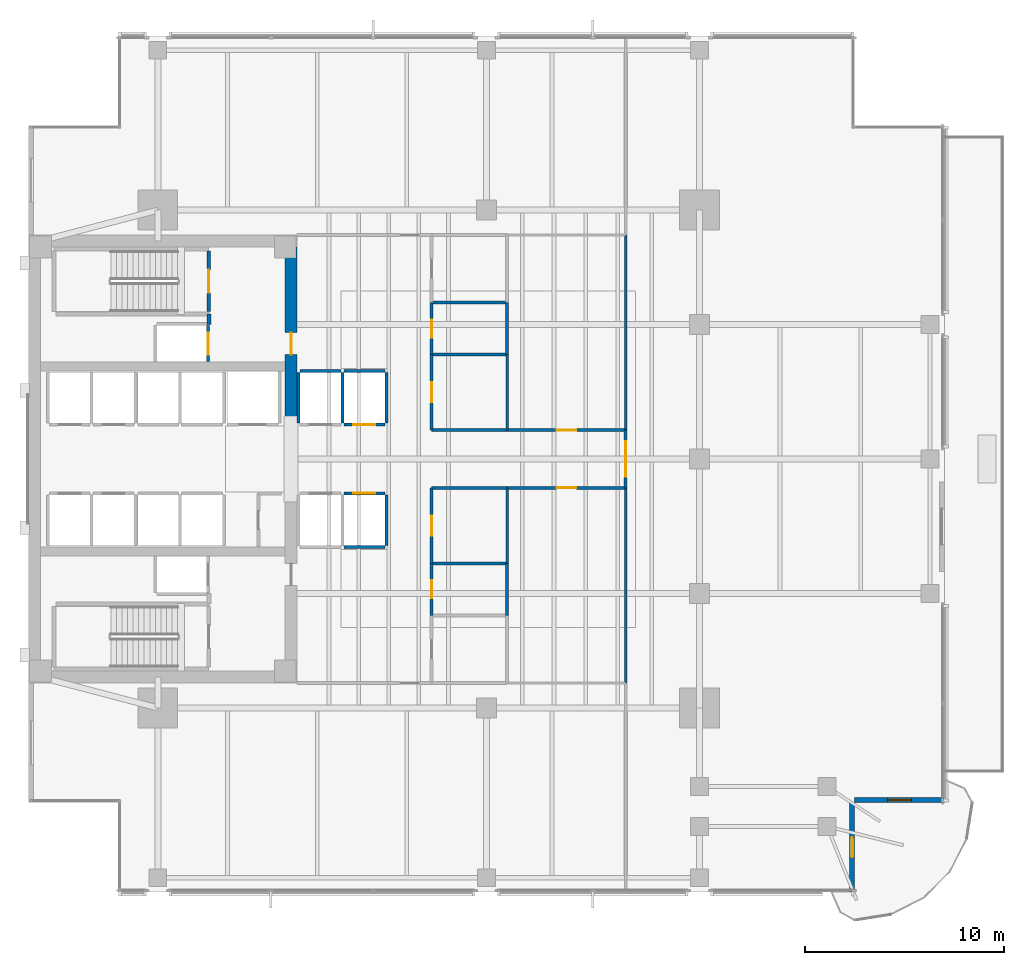
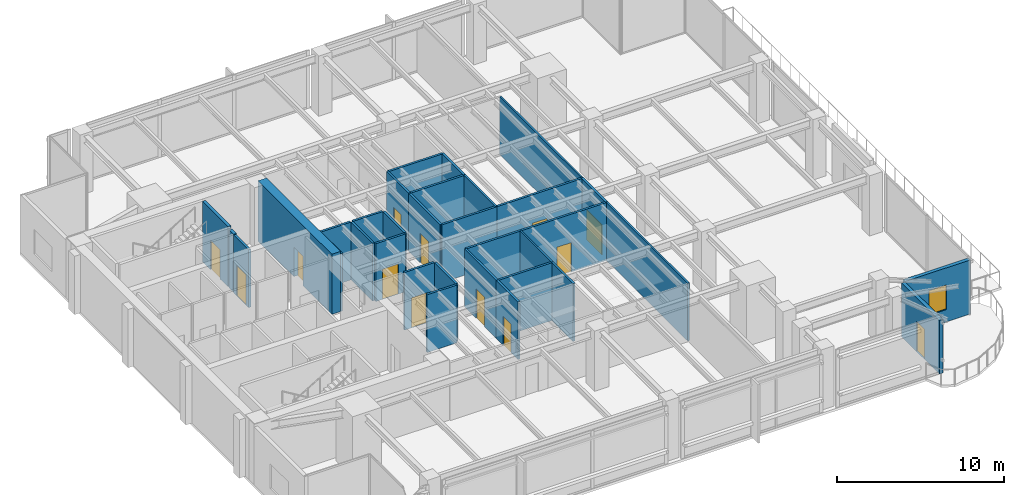
# One storey, part 9 of 14: 33 walls, 13 doors, 1 window, 14 openings.
"""IFC4 building model written with IfcOpenShell, lengths in metres."""

from ifc_helpers import new_model, si_unit, direction, frame, frame_2d, origin, place, context, subcontext, project, spatial, rectangle, extrude, material, layer, layer_set, type_object, element, fill, save


model = new_model("IFC4")

# Units and contexts
model_context = context("Model", 3, precision=1e-05, world=origin(), true_north=direction((0.0, 1.0)))
body_context = subcontext(model_context, "Body", "Model", "MODEL_VIEW")
ifc_project = project(units=[si_unit("LENGTHUNIT", "METRE"), si_unit("AREAUNIT", "SQUARE_METRE"), si_unit("VOLUMEUNIT", "CUBIC_METRE"), si_unit("PLANEANGLEUNIT", "RADIAN"), si_unit("MASSUNIT", "GRAM", prefix="KILO")], contexts=[model_context])

# Site, building, storey
site_placement = place(None, origin())
site = spatial("IfcSite", under=ifc_project, at=site_placement, CompositionType="ELEMENT")
building_placement = place(site_placement, origin())
building = spatial("IfcBuilding", under=site, at=building_placement, Name="Kinhvarn Gate Tower", CompositionType="ELEMENT")
storey_placement = place(building_placement, frame((0.0, 0.0, 97.85009765625)))
storey = spatial("IfcBuildingStorey", under=building, at=storey_placement, Name="L25", CompositionType="ELEMENT", Elevation=97.85009765625)

# Wall, opening, door
ifc_material_1 = material(Name="Concrete C60/75", Category="concrete")
ifc_layer_1 = layer(ifc_material_1, 0.60009765625)
ifc_layer_set_1 = layer_set([ifc_layer_1], Name="Concrete C60/75")
wall_type_1 = type_object("IfcWallType", Name="WL-CORE-600", PredefinedType="SHEAR", material=ifc_layer_set_1)
wall_1_placement = place(storey_placement, frame((17.699951171875, 27.050048828125, 0.0), z_axis=(0.0, 0.0, 1.0), x_axis=(0.0, 1.0, 0.0)))
wall_1 = element("IfcWall", 1, at=wall_1_placement, inside=storey, type_object=wall_type_1, Name="Core East-North Shear Pier L25 600 mm", PredefinedType="SHEAR", context=body_context, shape_type="SweptSolid", body=[
    extrude(rectangle(XDim=8.849853515625, YDim=0.60009765625, at=frame_2d((4.4248046875, 0.0))), origin(), (0.0, 0.0, 1.0), 4.39990234375),
])
opening_1_placement = place(wall_1_placement, frame((3.449951171875, 0.0, 0.0)))
opening_1 = element("IfcOpeningElement", 2, at=opening_1_placement, cuts=wall_1, Name="Opening FD-02", PredefinedType="OPENING", context=body_context, shape_type="SweptSolid", body=[
    extrude(rectangle(XDim=1.10009765625, YDim=2.14990234375, at=frame_2d((0.550048828125, 1.074951171875))), frame((0.0, 0.31005859375, 0.0), z_axis=(0.0, -1.0, 0.0), x_axis=(1.0, 0.0, 0.0)), (0.0, 0.0, 1.0), 0.6201171875),
])
ifc_material_2 = material(Name="Anodised aluminium AW-6063", Category="aluminium")
door_type_1 = type_object("IfcDoorType", Name="DR-FD-1100", OperationType="NOTDEFINED", PredefinedType="DOOR", material=ifc_material_2)
door_1_placement = place(opening_1_placement, origin())
door_1 = element("IfcDoor", 3, at=door_1_placement, inside=storey, type_object=door_type_1, Name="Firefighting Lobby Core Door (L25)", OperationType="SINGLE_SWING_LEFT", OverallHeight=2.14990234375, OverallWidth=1.10009765625, PredefinedType="DOOR", context=body_context, shape_type="SweptSolid", body=[
    extrude(rectangle(XDim=1.10009765625, YDim=2.14990234375, at=frame_2d((0.550048828125, 1.074951171875))), frame((0.0, 0.02490234375, 0.0), z_axis=(0.0, -1.0, 0.0), x_axis=(1.0, 0.0, 0.0)), (0.0, 0.0, 1.0), 0.050048828125),
])
fill(opening_1, door_1)

ifc_material_3 = material(Name="Fired architectural terracotta", Category="masonry")
ifc_layer_2 = layer(ifc_material_3, 0.25)
ifc_layer_set_2 = layer_set([ifc_layer_2], Name="Fired architectural terracotta")
wall_type_2 = type_object("IfcWallType", Name="WL-EXT-250", PredefinedType="SOLIDWALL", material=ifc_layer_set_2)
wall_2_placement = place(storey_placement, frame((45.875, 3.5, 0.0), z_axis=(0.0, 0.0, 1.0), x_axis=(0.0, 1.0, 0.0)))
wall_2 = element("IfcWall", 4, at=wall_2_placement, inside=storey, type_object=wall_type_2, Name="Exterior Solidwall Wall EW-250 (L25 SE-Notch-Door)", PredefinedType="SOLIDWALL", context=body_context, shape_type="SweptSolid", body=[
    extrude(rectangle(XDim=4.5, YDim=0.25, at=frame_2d((2.25, 0.0))), origin(), (0.0, 0.0, 1.0), 3.919921875),
])
opening_2_placement = place(wall_2_placement, frame((1.75, 0.0, 0.0)))
opening_2 = element("IfcOpeningElement", 5, at=opening_2_placement, cuts=wall_2, Name="Opening BD-01", PredefinedType="OPENING", context=body_context, shape_type="SweptSolid", body=[
    extrude(rectangle(XDim=1.0, YDim=2.199951171875, at=frame_2d((0.5, 1.10009765625))), frame((0.0, 0.135009765625, 0.0), z_axis=(0.0, -1.0, 0.0), x_axis=(1.0, 0.0, 0.0)), (0.0, 0.0, 1.0), 0.27001953125),
])
ifc_material_4 = material(Name="Clear low-e double glazing", Category="glass")
door_type_2 = type_object("IfcDoorType", Name="DR-BAL-1000", OperationType="NOTDEFINED", PredefinedType="DOOR", material=ifc_material_4)
door_2_placement = place(opening_2_placement, frame((1.0, 0.0, 0.0), z_axis=(0.0, 0.0, 1.0), x_axis=(-1.0, 0.0, 0.0)))
door_2 = element("IfcDoor", 6, at=door_2_placement, inside=storey, type_object=door_type_2, Name="S-Carve Balcony Door BD-01 (L25)", OperationType="SINGLE_SWING_LEFT", OverallHeight=2.199951171875, OverallWidth=1.0, PredefinedType="DOOR", context=body_context, shape_type="SweptSolid", body=[
    extrude(rectangle(XDim=1.0, YDim=2.199951171875, at=frame_2d((0.5, 1.10009765625))), frame((0.0, 0.02490234375, 0.0), z_axis=(0.0, -1.0, 0.0), x_axis=(1.0, 0.0, 0.0)), (0.0, 0.0, 1.0), 0.050048828125),
])
fill(opening_2, door_2)

# Wall, opening, window
wall_3_placement = place(storey_placement, frame((46.0, 8.125, 0.0), z_axis=(0.0, 0.0, 1.0), x_axis=(1.0, 0.0, 0.0)))
wall_3 = element("IfcWall", 7, at=wall_3_placement, inside=storey, type_object=wall_type_2, Name="Exterior Solidwall Wall EW-250 (L25 SE-Notch-Win)", PredefinedType="SOLIDWALL", context=body_context, shape_type="SweptSolid", body=[
    extrude(rectangle(XDim=4.5, YDim=0.25, at=frame_2d((2.25, 0.0))), origin(), (0.0, 0.0, 1.0), 3.949951171875),
])
opening_3_placement = place(wall_3_placement, frame((1.64990234375, 0.0, 0.89990234375)))
opening_3 = element("IfcOpeningElement", 8, at=opening_3_placement, cuts=wall_3, Name="Opening WN-02", PredefinedType="OPENING", context=body_context, shape_type="SweptSolid", body=[
    extrude(rectangle(XDim=1.199951171875, YDim=1.800048828125, at=frame_2d((0.60009765625, 0.89990234375))), frame((0.0, 0.135009765625, 0.0), z_axis=(0.0, -1.0, 0.0), x_axis=(1.0, 0.0, 0.0)), (0.0, 0.0, 1.0), 0.27001953125),
])
window_type = type_object("IfcWindowType", Name="WIN-NTC-1200", PartitioningType="SINGLE_PANEL", PredefinedType="WINDOW", material=ifc_material_4)
window_placement = place(opening_3_placement, origin())
window = element("IfcWindow", 9, at=window_placement, inside=storey, type_object=window_type, Name="Recessed Corner Notch Punched Window 1200x1800 mm (L25)", OverallHeight=1.800048828125, OverallWidth=1.199951171875, PartitioningType="SINGLE_PANEL", PredefinedType="WINDOW", context=body_context, shape_type="SweptSolid", body=[
    extrude(rectangle(XDim=1.199951171875, YDim=1.800048828125, at=frame_2d((0.60009765625, 0.89990234375))), frame((0.0, 0.030029296875, 0.0), z_axis=(0.0, -1.0, 0.0), x_axis=(1.0, 0.0, 0.0)), (0.0, 0.0, 1.0), 0.06005859375),
])
fill(opening_3, window)

# Walls
ifc_material_5 = material(Name="Gypsum acoustic partition board")
ifc_layer_3 = layer(ifc_material_5, 0.14990234375)
ifc_layer_set_3 = layer_set([ifc_layer_3], Name="Gypsum acoustic partition board")
wall_type_3 = type_object("IfcWallType", Name="WL-PLM-150", PredefinedType="PLUMBINGWALL", material=ifc_layer_set_3)
wall_4_placement = place(storey_placement, frame((24.75, 33.10009765625, 0.0), z_axis=(0.0, 0.0, 1.0), x_axis=(1.0, 0.0, 0.0)))
element("IfcWall", 10, at=wall_4_placement, inside=storey, type_object=wall_type_3, Name="Interior Partition PLW-150 (L25)", PredefinedType="PLUMBINGWALL", context=body_context, shape_type="SweptSolid", body=[
    extrude(rectangle(XDim=3.800048828125, YDim=0.14990234375, at=frame_2d((1.89990234375, 0.0))), origin(), (0.0, 0.0, 1.0), 4.219970703125),
])
wall_5_placement = place(storey_placement, frame((28.550048828125, 17.39990234375, 0.0), z_axis=(0.0, 0.0, 1.0), x_axis=(0.0, 1.0, 0.0)))
element("IfcWall", 11, at=wall_5_placement, inside=storey, type_object=wall_type_3, Name="Interior Partition PLW-150 (L25)", PredefinedType="PLUMBINGWALL", context=body_context, shape_type="SweptSolid", body=[
    extrude(rectangle(XDim=2.60009765625, YDim=0.14990234375, at=frame_2d((1.300048828125, 0.0))), origin(), (0.0, 0.0, 1.0), 4.219970703125),
])
wall_6_placement = place(storey_placement, frame((24.75, 20.0, 0.0), z_axis=(0.0, 0.0, 1.0), x_axis=(1.0, 0.0, 0.0)))
element("IfcWall", 12, at=wall_6_placement, inside=storey, type_object=wall_type_3, Name="Interior Partition PLW-150 (L25)", PredefinedType="PLUMBINGWALL", context=body_context, shape_type="SweptSolid", body=[
    extrude(rectangle(XDim=3.800048828125, YDim=0.14990234375, at=frame_2d((1.89990234375, 0.0))), origin(), (0.0, 0.0, 1.0), 4.219970703125),
])
wall_7_placement = place(storey_placement, frame((28.550048828125, 30.5, 0.0), z_axis=(0.0, 0.0, 1.0), x_axis=(0.0, 1.0, 0.0)))
element("IfcWall", 13, at=wall_7_placement, inside=storey, type_object=wall_type_3, Name="Interior Partition PLW-150 (L25)", PredefinedType="PLUMBINGWALL", context=body_context, shape_type="SweptSolid", body=[
    extrude(rectangle(XDim=2.60009765625, YDim=0.14990234375, at=frame_2d((1.300048828125, 0.0))), origin(), (0.0, 0.0, 1.0), 4.219970703125),
])
wall_8_placement = place(storey_placement, frame((24.75, 30.5, 0.0), z_axis=(0.0, 0.0, 1.0), x_axis=(1.0, 0.0, 0.0)))
element("IfcWall", 14, at=wall_8_placement, inside=storey, type_object=wall_type_3, Name="Interior Partition PLW-150 (L25)", PredefinedType="PLUMBINGWALL", context=body_context, shape_type="SweptSolid", body=[
    extrude(rectangle(XDim=3.800048828125, YDim=0.14990234375, at=frame_2d((1.89990234375, 0.0))), origin(), (0.0, 0.0, 1.0), 4.219970703125),
])

# Wall, opening, door
ifc_layer_4 = layer(ifc_material_5, 0.14990234375)
ifc_layer_set_4 = layer_set([ifc_layer_4], Name="Gypsum acoustic partition board")
wall_type_4 = type_object("IfcWallType", Name="WL-PLM-150F", PredefinedType="PLUMBINGWALL", material=ifc_layer_set_4)
wall_9_placement = place(storey_placement, frame((24.75, 17.39990234375, 0.0), z_axis=(0.0, 0.0, 1.0), x_axis=(0.0, 1.0, 0.0)))
wall_9 = element("IfcWall", 15, at=wall_9_placement, inside=storey, type_object=wall_type_4, Name="Interior Partition PLW-150F (L25)", PredefinedType="PLUMBINGWALL", context=body_context, shape_type="SweptSolid", body=[
    extrude(rectangle(XDim=2.60009765625, YDim=0.14990234375, at=frame_2d((1.300048828125, 0.0))), origin(), (0.0, 0.0, 1.0), 4.219970703125),
])
opening_4_placement = place(wall_9_placement, frame((0.85009765625, 0.0, 0.0)))
opening_4 = element("IfcOpeningElement", 16, at=opening_4_placement, cuts=wall_9, Name="Opening FD-04", PredefinedType="OPENING", context=body_context, shape_type="SweptSolid", body=[
    extrude(rectangle(XDim=0.89990234375, YDim=2.10009765625, at=frame_2d((0.449951171875, 1.050048828125))), frame((0.0, 0.0849609375, 0.0), z_axis=(0.0, -1.0, 0.0), x_axis=(1.0, 0.0, 0.0)), (0.0, 0.0, 1.0), 0.169921875),
])
door_type_3 = type_object("IfcDoorType", Name="DR-FD-900", OperationType="NOTDEFINED", PredefinedType="DOOR", material=ifc_material_2)
door_3_placement = place(opening_4_placement, origin())
door_3 = element("IfcDoor", 17, at=door_3_placement, inside=storey, type_object=door_type_3, Name="Rated Riser & Service Closet Fire Door 900x2100 mm (L25)", OperationType="SINGLE_SWING_LEFT", OverallHeight=2.10009765625, OverallWidth=0.89990234375, PredefinedType="DOOR", context=body_context, shape_type="SweptSolid", body=[
    extrude(rectangle(XDim=0.89990234375, YDim=2.10009765625, at=frame_2d((0.449951171875, 1.050048828125))), frame((0.0, 0.02490234375, 0.0), z_axis=(0.0, -1.0, 0.0), x_axis=(1.0, 0.0, 0.0)), (0.0, 0.0, 1.0), 0.050048828125),
])
fill(opening_4, door_3)

wall_10_placement = place(storey_placement, frame((24.75, 30.5, 0.0), z_axis=(0.0, 0.0, 1.0), x_axis=(0.0, 1.0, 0.0)))
wall_10 = element("IfcWall", 18, at=wall_10_placement, inside=storey, type_object=wall_type_4, Name="Interior Partition PLW-150F (L25)", PredefinedType="PLUMBINGWALL", context=body_context, shape_type="SweptSolid", body=[
    extrude(rectangle(XDim=2.60009765625, YDim=0.14990234375, at=frame_2d((1.300048828125, 0.0))), origin(), (0.0, 0.0, 1.0), 4.219970703125),
])
opening_5_placement = place(wall_10_placement, frame((0.85009765625, 0.0, 0.0)))
opening_5 = element("IfcOpeningElement", 19, at=opening_5_placement, cuts=wall_10, Name="Opening FD-04", PredefinedType="OPENING", context=body_context, shape_type="SweptSolid", body=[
    extrude(rectangle(XDim=0.89990234375, YDim=2.10009765625, at=frame_2d((0.449951171875, 1.050048828125))), frame((0.0, 0.0849609375, 0.0), z_axis=(0.0, -1.0, 0.0), x_axis=(1.0, 0.0, 0.0)), (0.0, 0.0, 1.0), 0.169921875),
])
door_4_placement = place(opening_5_placement, origin())
door_4 = element("IfcDoor", 20, at=door_4_placement, inside=storey, type_object=door_type_3, Name="Rated Riser & Service Closet Fire Door 900x2100 mm (L25)", OperationType="SINGLE_SWING_RIGHT", OverallHeight=2.10009765625, OverallWidth=0.89990234375, PredefinedType="DOOR", context=body_context, shape_type="SweptSolid", body=[
    extrude(rectangle(XDim=0.89990234375, YDim=2.10009765625, at=frame_2d((0.449951171875, 1.050048828125))), frame((0.0, 0.02490234375, 0.0), z_axis=(0.0, -1.0, 0.0), x_axis=(1.0, 0.0, 0.0)), (0.0, 0.0, 1.0), 0.050048828125),
])
fill(opening_5, door_4)

# Walls
ifc_layer_5 = layer(ifc_material_5, 0.1201171875)
ifc_layer_set_5 = layer_set([ifc_layer_5], Name="Gypsum acoustic partition board")
wall_type_5 = type_object("IfcWallType", Name="WL-PRT-120", PredefinedType="PARTITIONING", material=ifc_layer_set_5)
wall_11_placement = place(storey_placement, frame((34.5, 14.0, 0.0), z_axis=(0.0, 0.0, 1.0), x_axis=(0.0, 1.0, 0.0)))
element("IfcWall", 21, at=wall_11_placement, inside=storey, type_object=wall_type_5, Name="Interior Partition PW-120 (L25)", PredefinedType="PARTITIONING", context=body_context, shape_type="SweptSolid", body=[
    extrude(rectangle(XDim=9.800048828125, YDim=0.1201171875, at=frame_2d((4.89990234375, 0.0))), origin(), (0.0, 0.0, 1.0), 4.219970703125),
])
wall_12_placement = place(storey_placement, frame((28.550048828125, 20.0, 0.0), z_axis=(0.0, 0.0, 1.0), x_axis=(0.0, 1.0, 0.0)))
element("IfcWall", 22, at=wall_12_placement, inside=storey, type_object=wall_type_5, Name="Interior Partition PW-120 (L25)", PredefinedType="PARTITIONING", context=body_context, shape_type="SweptSolid", body=[
    extrude(rectangle(XDim=3.800048828125, YDim=0.1201171875, at=frame_2d((1.89990234375, 0.0))), origin(), (0.0, 0.0, 1.0), 4.219970703125),
])
wall_13_placement = place(storey_placement, frame((34.5, 26.699951171875, 0.0), z_axis=(0.0, 0.0, 1.0), x_axis=(0.0, 1.0, 0.0)))
element("IfcWall", 23, at=wall_13_placement, inside=storey, type_object=wall_type_5, Name="Interior Partition PW-120 (L25)", PredefinedType="PARTITIONING", context=body_context, shape_type="SweptSolid", body=[
    extrude(rectangle(XDim=9.800048828125, YDim=0.1201171875, at=frame_2d((4.89990234375, 0.0))), origin(), (0.0, 0.0, 1.0), 4.219970703125),
])
wall_14_placement = place(storey_placement, frame((28.550048828125, 26.699951171875, 0.0), z_axis=(0.0, 0.0, 1.0), x_axis=(0.0, 1.0, 0.0)))
element("IfcWall", 24, at=wall_14_placement, inside=storey, type_object=wall_type_5, Name="Interior Partition PW-120 (L25)", PredefinedType="PARTITIONING", context=body_context, shape_type="SweptSolid", body=[
    extrude(rectangle(XDim=3.800048828125, YDim=0.1201171875, at=frame_2d((1.89990234375, 0.0))), origin(), (0.0, 0.0, 1.0), 4.219970703125),
])

# Wall, opening, door
ifc_layer_6 = layer(ifc_material_5, 0.14990234375)
ifc_layer_set_6 = layer_set([ifc_layer_6], Name="Gypsum acoustic partition board")
wall_type_6 = type_object("IfcWallType", Name="WL-PRT-150F", PredefinedType="PARTITIONING", material=ifc_layer_set_6)
wall_15_placement = place(storey_placement, frame((24.75, 20.0, 0.0), z_axis=(0.0, 0.0, 1.0), x_axis=(0.0, 1.0, 0.0)))
wall_15 = element("IfcWall", 25, at=wall_15_placement, inside=storey, type_object=wall_type_6, Name="Interior Partition PW-150F (L25)", PredefinedType="PARTITIONING", context=body_context, shape_type="SweptSolid", body=[
    extrude(rectangle(XDim=3.800048828125, YDim=0.14990234375, at=frame_2d((1.89990234375, 0.0))), origin(), (0.0, 0.0, 1.0), 4.219970703125),
])
opening_6_placement = place(wall_15_placement, frame((1.39990234375, 0.0, 0.0)))
opening_6 = element("IfcOpeningElement", 26, at=opening_6_placement, cuts=wall_15, Name="Opening ID-02", PredefinedType="OPENING", context=body_context, shape_type="SweptSolid", body=[
    extrude(rectangle(XDim=1.0, YDim=2.14990234375, at=frame_2d((0.5, 1.074951171875))), frame((0.0, 0.0849609375, 0.0), z_axis=(0.0, -1.0, 0.0), x_axis=(1.0, 0.0, 0.0)), (0.0, 0.0, 1.0), 0.169921875),
])
door_type_4 = type_object("IfcDoorType", Name="DR-INT-1000", OperationType="NOTDEFINED", PredefinedType="DOOR", material=ifc_material_2)
door_5_placement = place(opening_6_placement, origin())
door_5 = element("IfcDoor", 27, at=door_5_placement, inside=storey, type_object=door_type_4, Name="Standard Office & Meeting Room Door 1000x2150 mm (L25)", OperationType="SINGLE_SWING_LEFT", OverallHeight=2.14990234375, OverallWidth=1.0, PredefinedType="DOOR", context=body_context, shape_type="SweptSolid", body=[
    extrude(rectangle(XDim=1.0, YDim=2.14990234375, at=frame_2d((0.5, 1.074951171875))), frame((0.0, 0.02490234375, 0.0), z_axis=(0.0, -1.0, 0.0), x_axis=(1.0, 0.0, 0.0)), (0.0, 0.0, 1.0), 0.050048828125),
])
fill(opening_6, door_5)

wall_16_placement = place(storey_placement, frame((24.75, 26.699951171875, 0.0), z_axis=(0.0, 0.0, 1.0), x_axis=(0.0, 1.0, 0.0)))
wall_16 = element("IfcWall", 28, at=wall_16_placement, inside=storey, type_object=wall_type_6, Name="Interior Partition PW-150F (L25)", PredefinedType="PARTITIONING", context=body_context, shape_type="SweptSolid", body=[
    extrude(rectangle(XDim=3.800048828125, YDim=0.14990234375, at=frame_2d((1.89990234375, 0.0))), origin(), (0.0, 0.0, 1.0), 4.219970703125),
])
opening_7_placement = place(wall_16_placement, frame((1.39990234375, 0.0, 0.0)))
opening_7 = element("IfcOpeningElement", 29, at=opening_7_placement, cuts=wall_16, Name="Opening ID-02", PredefinedType="OPENING", context=body_context, shape_type="SweptSolid", body=[
    extrude(rectangle(XDim=1.0, YDim=2.14990234375, at=frame_2d((0.5, 1.074951171875))), frame((0.0, 0.0849609375, 0.0), z_axis=(0.0, -1.0, 0.0), x_axis=(1.0, 0.0, 0.0)), (0.0, 0.0, 1.0), 0.169921875),
])
door_6_placement = place(opening_7_placement, origin())
door_6 = element("IfcDoor", 30, at=door_6_placement, inside=storey, type_object=door_type_4, Name="Standard Office & Meeting Room Door 1000x2150 mm (L25)", OperationType="SINGLE_SWING_RIGHT", OverallHeight=2.14990234375, OverallWidth=1.0, PredefinedType="DOOR", context=body_context, shape_type="SweptSolid", body=[
    extrude(rectangle(XDim=1.0, YDim=2.14990234375, at=frame_2d((0.5, 1.074951171875))), frame((0.0, 0.02490234375, 0.0), z_axis=(0.0, -1.0, 0.0), x_axis=(1.0, 0.0, 0.0)), (0.0, 0.0, 1.0), 0.050048828125),
])
fill(opening_7, door_6)

wall_17_placement = place(storey_placement, frame((28.550048828125, 23.800048828125, 0.0), z_axis=(0.0, 0.0, 1.0), x_axis=(1.0, 0.0, 0.0)))
wall_17 = element("IfcWall", 31, at=wall_17_placement, inside=storey, type_object=wall_type_6, Name="Interior Partition PW-150F (L25)", PredefinedType="PARTITIONING", context=body_context, shape_type="SweptSolid", body=[
    extrude(rectangle(XDim=5.949951171875, YDim=0.14990234375, at=frame_2d((2.97509765625, 0.0))), origin(), (0.0, 0.0, 1.0), 4.219970703125),
])
opening_8_placement = place(wall_17_placement, frame((2.47509765625, 0.0, 0.0)))
opening_8 = element("IfcOpeningElement", 32, at=opening_8_placement, cuts=wall_17, Name="Opening ID-02", PredefinedType="OPENING", context=body_context, shape_type="SweptSolid", body=[
    extrude(rectangle(XDim=1.0, YDim=2.14990234375, at=frame_2d((0.5, 1.074951171875))), frame((0.0, 0.0849609375, 0.0), z_axis=(0.0, -1.0, 0.0), x_axis=(1.0, 0.0, 0.0)), (0.0, 0.0, 1.0), 0.169921875),
])
door_7_placement = place(opening_8_placement, origin())
door_7 = element("IfcDoor", 33, at=door_7_placement, inside=storey, type_object=door_type_4, Name="Standard Office & Meeting Room Door 1000x2150 mm (L25)", OperationType="SINGLE_SWING_LEFT", OverallHeight=2.14990234375, OverallWidth=1.0, PredefinedType="DOOR", context=body_context, shape_type="SweptSolid", body=[
    extrude(rectangle(XDim=1.0, YDim=2.14990234375, at=frame_2d((0.5, 1.074951171875))), frame((0.0, 0.02490234375, 0.0), z_axis=(0.0, -1.0, 0.0), x_axis=(1.0, 0.0, 0.0)), (0.0, 0.0, 1.0), 0.050048828125),
])
fill(opening_8, door_7)

wall_18_placement = place(storey_placement, frame((28.550048828125, 26.699951171875, 0.0), z_axis=(0.0, 0.0, 1.0), x_axis=(1.0, 0.0, 0.0)))
wall_18 = element("IfcWall", 34, at=wall_18_placement, inside=storey, type_object=wall_type_6, Name="Interior Partition PW-150F (L25)", PredefinedType="PARTITIONING", context=body_context, shape_type="SweptSolid", body=[
    extrude(rectangle(XDim=5.949951171875, YDim=0.14990234375, at=frame_2d((2.97509765625, 0.0))), origin(), (0.0, 0.0, 1.0), 4.219970703125),
])
opening_9_placement = place(wall_18_placement, frame((2.47509765625, 0.0, 0.0)))
opening_9 = element("IfcOpeningElement", 35, at=opening_9_placement, cuts=wall_18, Name="Opening ID-02", PredefinedType="OPENING", context=body_context, shape_type="SweptSolid", body=[
    extrude(rectangle(XDim=1.0, YDim=2.14990234375, at=frame_2d((0.5, 1.074951171875))), frame((0.0, 0.0849609375, 0.0), z_axis=(0.0, -1.0, 0.0), x_axis=(1.0, 0.0, 0.0)), (0.0, 0.0, 1.0), 0.169921875),
])
door_8_placement = place(opening_9_placement, origin())
door_8 = element("IfcDoor", 36, at=door_8_placement, inside=storey, type_object=door_type_4, Name="Standard Office & Meeting Room Door 1000x2150 mm (L25)", OperationType="SINGLE_SWING_RIGHT", OverallHeight=2.14990234375, OverallWidth=1.0, PredefinedType="DOOR", context=body_context, shape_type="SweptSolid", body=[
    extrude(rectangle(XDim=1.0, YDim=2.14990234375, at=frame_2d((0.5, 1.074951171875))), frame((0.0, 0.02490234375, 0.0), z_axis=(0.0, -1.0, 0.0), x_axis=(1.0, 0.0, 0.0)), (0.0, 0.0, 1.0), 0.050048828125),
])
fill(opening_9, door_8)

wall_19_placement = place(storey_placement, frame((34.5, 23.800048828125, 0.0), z_axis=(0.0, 0.0, 1.0), x_axis=(0.0, 1.0, 0.0)))
wall_19 = element("IfcWall", 37, at=wall_19_placement, inside=storey, type_object=wall_type_6, Name="Interior Partition PW-150F (L25)", PredefinedType="PARTITIONING", context=body_context, shape_type="SweptSolid", body=[
    extrude(rectangle(XDim=2.89990234375, YDim=0.14990234375, at=frame_2d((1.449951171875, 0.0))), origin(), (0.0, 0.0, 1.0), 4.219970703125),
])
opening_10_placement = place(wall_19_placement, frame((0.550048828125, 0.0, 0.0)))
opening_10 = element("IfcOpeningElement", 38, at=opening_10_placement, cuts=wall_19, Name="Opening ID-04", PredefinedType="OPENING", context=body_context, shape_type="SweptSolid", body=[
    extrude(rectangle(XDim=1.800048828125, YDim=2.199951171875, at=frame_2d((0.89990234375, 1.10009765625))), frame((0.0, 0.0849609375, 0.0), z_axis=(0.0, -1.0, 0.0), x_axis=(1.0, 0.0, 0.0)), (0.0, 0.0, 1.0), 0.169921875),
])
door_type_5 = type_object("IfcDoorType", Name="DR-GLZ-1800", OperationType="NOTDEFINED", PredefinedType="DOOR", material=ifc_material_4)
door_9_placement = place(opening_10_placement, origin())
door_9 = element("IfcDoor", 39, at=door_9_placement, inside=storey, type_object=door_type_5, Name="Double Glazed Forum & Sky-Lobby Door 1800x2200 mm (L25)", OperationType="DOUBLE_DOOR_SINGLE_SWING", OverallHeight=2.199951171875, OverallWidth=1.800048828125, PredefinedType="DOOR", context=body_context, shape_type="SweptSolid", body=[
    extrude(rectangle(XDim=1.800048828125, YDim=2.199951171875, at=frame_2d((0.89990234375, 1.10009765625))), frame((0.0, 0.02490234375, 0.0), z_axis=(0.0, -1.0, 0.0), x_axis=(1.0, 0.0, 0.0)), (0.0, 0.0, 1.0), 0.050048828125),
])
fill(opening_10, door_9)

# Walls
for number, where, z_axis, x_axis, name in (
    (40, (24.75, 23.800048828125, 0.0), (0.0, 0.0, 1.0), (1.0, 0.0, 0.0), "Interior Partition PW-150F (L25)"),
    (41, (24.75, 26.699951171875, 0.0), (0.0, 0.0, 1.0), (1.0, 0.0, 0.0), "Interior Partition PW-150F (L25)"),
):
    element("IfcWall", number, at=place(storey_placement, frame(where, z_axis=z_axis, x_axis=x_axis)), inside=storey, type_object=wall_type_6, Name=name, PredefinedType="PARTITIONING", context=body_context, shape_type="SweptSolid", body=[
        extrude(rectangle(XDim=3.800048828125, YDim=0.14990234375, at=frame_2d((1.89990234375, 0.0))), origin(), (0.0, 0.0, 1.0), 4.219970703125),
    ])
ifc_layer_7 = layer(ifc_material_5, 0.199951171875)
ifc_layer_set_7 = layer_set([ifc_layer_7], Name="Gypsum acoustic partition board")
wall_type_7 = type_object("IfcWallType", Name="WL-PRT-200", PredefinedType="PARTITIONING", material=ifc_layer_set_7)
wall_20_placement = place(storey_placement, frame((13.580078125, 32.0, 0.0), z_axis=(0.0, 0.0, 1.0), x_axis=(0.0, 1.0, 0.0)))
element("IfcWall", 42, at=wall_20_placement, inside=storey, type_object=wall_type_7, Name="Interior Partition PW-200 (L25)", PredefinedType="PARTITIONING", context=body_context, shape_type="SweptSolid", body=[
    extrude(rectangle(XDim=0.5400390625, YDim=0.199951171875, at=frame_2d((0.27001953125, 0.0))), origin(), (0.0, 0.0, 1.0), 4.219970703125),
])
ifc_layer_8 = layer(ifc_material_5, 0.14990234375)
ifc_layer_set_8 = layer_set([ifc_layer_8], Name="Gypsum acoustic partition board")
wall_type_8 = type_object("IfcWallType", Name="WL-SHF-150", PredefinedType="PARTITIONING", material=ifc_layer_set_8)
wall_21_placement = place(storey_placement, frame((20.35009765625, 20.824951171875, 0.0), z_axis=(0.0, 0.0, 1.0), x_axis=(1.0, 0.0, 0.0)))
element("IfcWall", 43, at=wall_21_placement, inside=storey, type_object=wall_type_8, Name="Elevator PL-02 Hoistway Wall S (L25)", PredefinedType="PARTITIONING", context=body_context, shape_type="SweptSolid", body=[
    extrude(rectangle(XDim=2.0498046875, YDim=0.14990234375, at=frame_2d((1.02490234375, 0.0))), origin(), (0.0, 0.0, 1.0), 4.219970703125),
])

# Wall, opening, door
wall_22_placement = place(storey_placement, frame((20.35009765625, 23.52490234375, 0.0), z_axis=(0.0, 0.0, 1.0), x_axis=(1.0, 0.0, 0.0)))
wall_22 = element("IfcWall", 44, at=wall_22_placement, inside=storey, type_object=wall_type_8, Name="Elevator PL-02 Landing Wall (L25)", PredefinedType="PARTITIONING", context=body_context, shape_type="SweptSolid", body=[
    extrude(rectangle(XDim=2.0498046875, YDim=0.14990234375, at=frame_2d((1.02490234375, 0.0))), origin(), (0.0, 0.0, 1.0), 4.219970703125),
])
opening_11_placement = place(wall_22_placement, frame((0.47509765625, 0.0, 0.0)))
opening_11 = element("IfcOpeningElement", 45, at=opening_11_placement, cuts=wall_22, Name="Opening LD-01", PredefinedType="OPENING", context=body_context, shape_type="SweptSolid", body=[
    extrude(rectangle(XDim=1.10009765625, YDim=2.199951171875, at=frame_2d((0.550048828125, 1.10009765625))), frame((0.0, 0.0849609375, 0.0), z_axis=(0.0, -1.0, 0.0), x_axis=(1.0, 0.0, 0.0)), (0.0, 0.0, 1.0), 0.169921875),
])
door_type_6 = type_object("IfcDoorType", Name="DR-LND-PAS", OperationType="NOTDEFINED", PredefinedType="DOOR", material=ifc_material_2)
door_10_placement = place(opening_11_placement, origin())
door_10 = element("IfcDoor", 46, at=door_10_placement, inside=storey, type_object=door_type_6, Name="Elevator PL-02 Sliding Landing Door (L25)", OperationType="DOUBLE_DOOR_SLIDING", OverallHeight=2.199951171875, OverallWidth=1.10009765625, PredefinedType="DOOR", context=body_context, shape_type="SweptSolid", body=[
    extrude(rectangle(XDim=1.10009765625, YDim=2.199951171875, at=frame_2d((0.550048828125, 1.10009765625))), frame((0.0, 0.02490234375, 0.0), z_axis=(0.0, -1.0, 0.0), x_axis=(1.0, 0.0, 0.0)), (0.0, 0.0, 1.0), 0.050048828125),
])
fill(opening_11, door_10)

# Walls
wall_23_placement = place(storey_placement, frame((22.47509765625, 20.89990234375, 0.0), z_axis=(0.0, 0.0, 1.0), x_axis=(0.0, 1.0, 0.0)))
element("IfcWall", 47, at=wall_23_placement, inside=storey, type_object=wall_type_8, Name="Elevator PL-02 Hoistway Wall E (L25)", PredefinedType="PARTITIONING", context=body_context, shape_type="SweptSolid", body=[
    extrude(rectangle(XDim=2.550048828125, YDim=0.14990234375, at=frame_2d((1.27490234375, 0.0))), origin(), (0.0, 0.0, 1.0), 4.219970703125),
])
wall_24_placement = place(storey_placement, frame((18.14990234375, 29.675048828125, 0.0), z_axis=(0.0, 0.0, 1.0), x_axis=(1.0, 0.0, 0.0)))
element("IfcWall", 48, at=wall_24_placement, inside=storey, type_object=wall_type_8, Name="Elevator PL-03 Hoistway Wall N (L25)", PredefinedType="PARTITIONING", context=body_context, shape_type="SweptSolid", body=[
    extrude(rectangle(XDim=2.050048828125, YDim=0.14990234375, at=frame_2d((1.02490234375, 0.0))), origin(), (0.0, 0.0, 1.0), 4.219970703125),
])
for number, where, z_axis, x_axis, name in (
    (49, (18.074951171875, 27.050048828125, 0.0), (0.0, 0.0, 1.0), (0.0, 1.0, 0.0), "Elevator PL-03 Hoistway Wall W (L25)"),
    (50, (20.27490234375, 27.050048828125, 0.0), (0.0, 0.0, 1.0), (0.0, 1.0, 0.0), "Elevator PL-03 Hoistway Wall E (L25)"),
):
    element("IfcWall", number, at=place(storey_placement, frame(where, z_axis=z_axis, x_axis=x_axis)), inside=storey, type_object=wall_type_8, Name=name, PredefinedType="PARTITIONING", context=body_context, shape_type="SweptSolid", body=[
        extrude(rectangle(XDim=2.550048828125, YDim=0.14990234375, at=frame_2d((1.27490234375, 0.0))), origin(), (0.0, 0.0, 1.0), 4.219970703125),
    ])

# Wall, opening, door
wall_25_placement = place(storey_placement, frame((20.35009765625, 26.97509765625, 0.0), z_axis=(0.0, 0.0, 1.0), x_axis=(1.0, 0.0, 0.0)))
wall_25 = element("IfcWall", 51, at=wall_25_placement, inside=storey, type_object=wall_type_8, Name="Elevator PL-04 Landing Wall (L25)", PredefinedType="PARTITIONING", context=body_context, shape_type="SweptSolid", body=[
    extrude(rectangle(XDim=2.0498046875, YDim=0.14990234375, at=frame_2d((1.02490234375, 0.0))), origin(), (0.0, 0.0, 1.0), 4.219970703125),
])
opening_12_placement = place(wall_25_placement, frame((0.47509765625, 0.0, 0.0)))
opening_12 = element("IfcOpeningElement", 52, at=opening_12_placement, cuts=wall_25, Name="Opening LD-01", PredefinedType="OPENING", context=body_context, shape_type="SweptSolid", body=[
    extrude(rectangle(XDim=1.10009765625, YDim=2.199951171875, at=frame_2d((0.550048828125, 1.10009765625))), frame((0.0, 0.0849609375, 0.0), z_axis=(0.0, -1.0, 0.0), x_axis=(1.0, 0.0, 0.0)), (0.0, 0.0, 1.0), 0.169921875),
])
door_11_placement = place(opening_12_placement, origin())
door_11 = element("IfcDoor", 53, at=door_11_placement, inside=storey, type_object=door_type_6, Name="Elevator PL-04 Sliding Landing Door (L25)", OperationType="DOUBLE_DOOR_SLIDING", OverallHeight=2.199951171875, OverallWidth=1.10009765625, PredefinedType="DOOR", context=body_context, shape_type="SweptSolid", body=[
    extrude(rectangle(XDim=1.10009765625, YDim=2.199951171875, at=frame_2d((0.550048828125, 1.10009765625))), frame((0.0, 0.02490234375, 0.0), z_axis=(0.0, -1.0, 0.0), x_axis=(1.0, 0.0, 0.0)), (0.0, 0.0, 1.0), 0.050048828125),
])
fill(opening_12, door_11)

# Walls
wall_26_placement = place(storey_placement, frame((20.35009765625, 29.675048828125, 0.0), z_axis=(0.0, 0.0, 1.0), x_axis=(1.0, 0.0, 0.0)))
element("IfcWall", 54, at=wall_26_placement, inside=storey, type_object=wall_type_8, Name="Elevator PL-04 Hoistway Wall N (L25)", PredefinedType="PARTITIONING", context=body_context, shape_type="SweptSolid", body=[
    extrude(rectangle(XDim=2.0498046875, YDim=0.14990234375, at=frame_2d((1.02490234375, 0.0))), origin(), (0.0, 0.0, 1.0), 4.219970703125),
])
wall_27_placement = place(storey_placement, frame((22.47509765625, 27.050048828125, 0.0), z_axis=(0.0, 0.0, 1.0), x_axis=(0.0, 1.0, 0.0)))
element("IfcWall", 55, at=wall_27_placement, inside=storey, type_object=wall_type_8, Name="Elevator PL-04 Hoistway Wall E (L25)", PredefinedType="PARTITIONING", context=body_context, shape_type="SweptSolid", body=[
    extrude(rectangle(XDim=2.550048828125, YDim=0.14990234375, at=frame_2d((1.27490234375, 0.0))), origin(), (0.0, 0.0, 1.0), 4.219970703125),
])

# Wall, opening, door
wall_28_placement = place(storey_placement, frame((13.52490234375, 30.14990234375, 0.0), z_axis=(0.0, 0.0, 1.0), x_axis=(0.0, 1.0, 0.0)))
wall_28 = element("IfcWall", 56, at=wall_28_placement, inside=storey, type_object=wall_type_8, Name="Elevator FF2 Landing Wall (L25)", PredefinedType="PARTITIONING", context=body_context, shape_type="SweptSolid", body=[
    extrude(rectangle(XDim=1.800048828125, YDim=0.14990234375, at=frame_2d((0.89990234375, 0.0))), origin(), (0.0, 0.0, 1.0), 4.219970703125),
])
opening_13_placement = place(wall_28_placement, frame((0.35009765625, 0.0, 0.0)))
opening_13 = element("IfcOpeningElement", 57, at=opening_13_placement, cuts=wall_28, Name="Opening LD-03", PredefinedType="OPENING", context=body_context, shape_type="SweptSolid", body=[
    extrude(rectangle(XDim=1.10009765625, YDim=2.199951171875, at=frame_2d((0.550048828125, 1.10009765625))), frame((0.0, 0.0849609375, 0.0), z_axis=(0.0, -1.0, 0.0), x_axis=(1.0, 0.0, 0.0)), (0.0, 0.0, 1.0), 0.169921875),
])
door_type_7 = type_object("IfcDoorType", Name="DR-LND-FF", OperationType="NOTDEFINED", PredefinedType="DOOR", material=ifc_material_2)
door_12_placement = place(opening_13_placement, origin())
door_12 = element("IfcDoor", 58, at=door_12_placement, inside=storey, type_object=door_type_7, Name="Elevator FF2 Sliding Landing Door (L25)", OperationType="DOUBLE_DOOR_SLIDING", OverallHeight=2.199951171875, OverallWidth=1.10009765625, PredefinedType="DOOR", context=body_context, shape_type="SweptSolid", body=[
    extrude(rectangle(XDim=1.10009765625, YDim=2.199951171875, at=frame_2d((0.550048828125, 1.10009765625))), frame((0.0, 0.02490234375, 0.0), z_axis=(0.0, -1.0, 0.0), x_axis=(1.0, 0.0, 0.0)), (0.0, 0.0, 1.0), 0.050048828125),
])
fill(opening_13, door_12)

ifc_material_6 = material(Name="Concrete C40/50", Category="concrete")
ifc_layer_9 = layer(ifc_material_6, 0.199951171875)
ifc_layer_set_9 = layer_set([ifc_layer_9], Name="Concrete C40/50")
wall_type_9 = type_object("IfcWallType", Name="WL-SHF-200", PredefinedType="SOLIDWALL", material=ifc_layer_set_9)
wall_29_placement = place(storey_placement, frame((13.56005859375, 32.64990234375, 0.0), z_axis=(0.0, 0.0, 1.0), x_axis=(0.0, 1.0, 0.0)))
wall_29 = element("IfcWall", 59, at=wall_29_placement, inside=storey, type_object=wall_type_9, Name="Stair ST2 East Entry Wall (L25)", PredefinedType="SOLIDWALL", context=body_context, shape_type="SweptSolid", body=[
    extrude(rectangle(XDim=3.050048828125, YDim=0.199951171875, at=frame_2d((1.52490234375, 0.0))), origin(), (0.0, 0.0, 1.0), 4.39990234375),
])
opening_14_placement = place(wall_29_placement, frame((0.949951171875, 0.0, 0.0)))
opening_14 = element("IfcOpeningElement", 60, at=opening_14_placement, cuts=wall_29, Name="Opening FD-01", PredefinedType="OPENING", context=body_context, shape_type="SweptSolid", body=[
    extrude(rectangle(XDim=1.14990234375, YDim=2.14990234375, at=frame_2d((0.574951171875, 1.074951171875))), frame((0.0, 0.10986328125, 0.0), z_axis=(0.0, -1.0, 0.0), x_axis=(1.0, 0.0, 0.0)), (0.0, 0.0, 1.0), 0.219970703125),
])
door_type_8 = type_object("IfcDoorType", Name="DR-ST-1150", OperationType="NOTDEFINED", PredefinedType="DOOR", material=ifc_material_2)
door_13_placement = place(opening_14_placement, origin())
door_13 = element("IfcDoor", 61, at=door_13_placement, inside=storey, type_object=door_type_8, Name="Exit Stair ST2 Fire Door (L25)", OperationType="SINGLE_SWING_RIGHT", OverallHeight=2.14990234375, OverallWidth=1.14990234375, PredefinedType="DOOR", context=body_context, shape_type="SweptSolid", body=[
    extrude(rectangle(XDim=1.14990234375, YDim=2.14990234375, at=frame_2d((0.574951171875, 1.074951171875))), frame((0.0, 0.02490234375, 0.0), z_axis=(0.0, -1.0, 0.0), x_axis=(1.0, 0.0, 0.0)), (0.0, 0.0, 1.0), 0.050048828125),
])
fill(opening_14, door_13)

save(model, "model.ifc")
